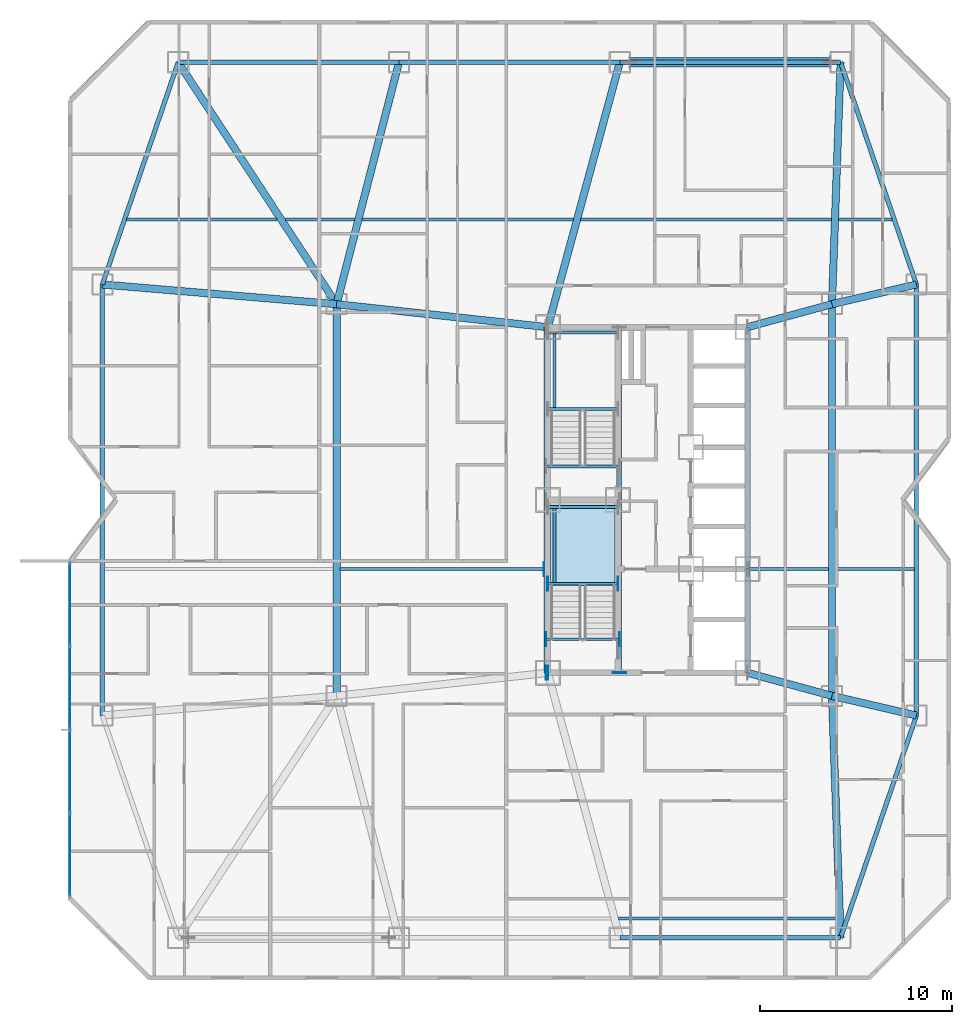
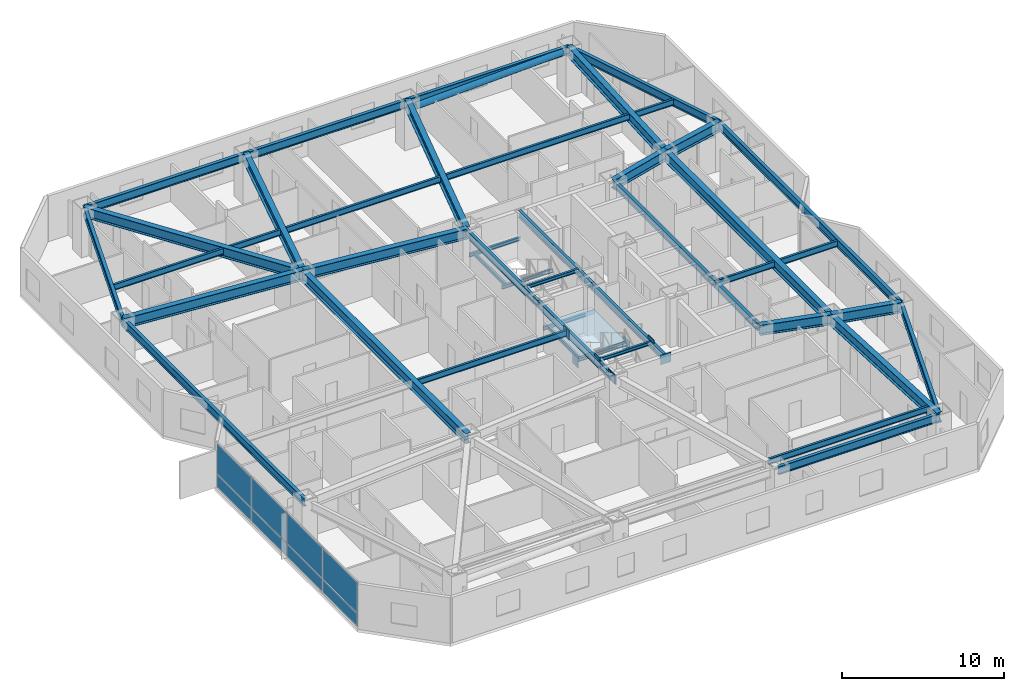
# One storey, part 7 of 19: 45 beams, 16 plates, 1 member, 1 slab, 2 elements without a shape of their own.
"""IFC4 building model written with IfcOpenShell, lengths in metres."""

from ifc_helpers import new_model, si_unit, direction, frame, origin, origin_2d, place, context, subcontext, project, spatial, polyline, rectangle, hollow_circle, i_section, outline, extrude, material, layer, layer_set, material_profile, profile_set, type_object, element, aggregate, save


model = new_model("IFC4")

# Units and contexts
model_context = context("Model", 3, precision=1e-05, world=origin(), true_north=direction((0.0, 1.0)))
body_context = subcontext(model_context, "Body", "Model", "MODEL_VIEW")
ifc_project = project(units=[si_unit("LENGTHUNIT", "METRE"), si_unit("AREAUNIT", "SQUARE_METRE"), si_unit("VOLUMEUNIT", "CUBIC_METRE"), si_unit("PLANEANGLEUNIT", "RADIAN"), si_unit("MASSUNIT", "GRAM", prefix="KILO")], contexts=[model_context])

# Site, building, storey
site_placement = place(None, origin())
site = spatial("IfcSite", under=ifc_project, at=site_placement, CompositionType="ELEMENT")
building_placement = place(site_placement, origin())
building = spatial("IfcBuilding", under=site, at=building_placement, Name="Khamvora Tower", CompositionType="ELEMENT")
storey_placement = place(building_placement, frame((0.0, 0.0, 58.85009765625)))
storey = spatial("IfcBuildingStorey", under=building, at=storey_placement, Name="L14", CompositionType="ELEMENT", Elevation=58.85009765625)

# Beams
ifc_material_1 = material(Name="Steel S355", Category="steel")
ifc_material_profile_1 = material_profile(ifc_material_1, i_section(OverallWidth=0.154052734375, OverallDepth=0.458984375, WebThickness=0.009033203125, FlangeThickness=0.014892578125, FilletRadius=0.011962890625, at=origin_2d()), Name="W460x68")
ifc_profile_set_1 = profile_set([ifc_material_profile_1], Name="Steel S355")
beam_type_1 = type_object("IfcBeamType", Name="BM-JS-W460x68", PredefinedType="JOIST", material=ifc_profile_set_1)
beam_1_placement = place(storey_placement, frame((32.6708984375, 6.199951171875, 3.199951171875), z_axis=(1.0, 0.0, 0.0), x_axis=(0.0, 1.0, 0.0)))
element("IfcBeam", 1, at=beam_1_placement, inside=storey, type_object=beam_type_1, Name="L14 secondary floor joist 03", PredefinedType="JOIST", context=body_context, shape_type="SweptSolid", body=[
    extrude(i_section(OverallWidth=0.154052734375, OverallDepth=0.458984375, WebThickness=0.009033203125, FlangeThickness=0.014892578125, FilletRadius=0.011962890625, at=origin_2d()), origin(), (0.0, 0.0, 1.0), 11.358154296875),
])
beam_2_placement = place(storey_placement, frame((18.18603515625, 24.39990234375, 3.199951171875), z_axis=(1.0, 0.0, 0.0), x_axis=(0.0, 1.0, 0.0)))
element("IfcBeam", 2, at=beam_2_placement, inside=storey, type_object=beam_type_1, Name="L14 secondary floor joist 05", PredefinedType="JOIST", context=body_context, shape_type="SweptSolid", body=[
    extrude(i_section(OverallWidth=0.154052734375, OverallDepth=0.458984375, WebThickness=0.009033203125, FlangeThickness=0.014892578125, FilletRadius=0.011962890625, at=origin_2d()), origin(), (0.0, 0.0, 1.0), 10.614013671875),
])
beam_3_placement = place(storey_placement, frame((39.4990234375, 24.39990234375, 3.199951171875), z_axis=(1.0, 0.0, 0.0), x_axis=(0.0, 1.0, 0.0)))
element("IfcBeam", 3, at=beam_3_placement, inside=storey, type_object=beam_type_1, Name="L14 secondary floor joist 06", PredefinedType="JOIST", context=body_context, shape_type="SweptSolid", body=[
    extrude(i_section(OverallWidth=0.154052734375, OverallDepth=0.458984375, WebThickness=0.009033203125, FlangeThickness=0.014892578125, FilletRadius=0.011962890625, at=origin_2d()), origin(), (0.0, 0.0, 1.0), 4.114990234375),
])
beam_4_placement = place(storey_placement, frame((43.985107421875, 24.39990234375, 3.199951171875), z_axis=(1.0, 0.0, 0.0), x_axis=(0.0, 1.0, 0.0)))
element("IfcBeam", 4, at=beam_4_placement, inside=storey, type_object=beam_type_1, Name="L14 secondary floor joist 07", PredefinedType="JOIST", context=body_context, shape_type="SweptSolid", body=[
    extrude(i_section(OverallWidth=0.154052734375, OverallDepth=0.458984375, WebThickness=0.009033203125, FlangeThickness=0.014892578125, FilletRadius=0.011962890625, at=origin_2d()), origin(), (0.0, 0.0, 1.0), 4.10498046875),
])
beam_5_placement = place(storey_placement, frame((7.068115234375, 42.60009765625, 3.199951171875), z_axis=(1.0, 0.0, 0.0), x_axis=(0.0, 1.0, 0.0)))
element("IfcBeam", 5, at=beam_5_placement, inside=storey, type_object=beam_type_1, Name="L14 secondary floor joist 08", PredefinedType="JOIST", context=body_context, shape_type="SweptSolid", body=[
    extrude(i_section(OverallWidth=0.154052734375, OverallDepth=0.458984375, WebThickness=0.009033203125, FlangeThickness=0.014892578125, FilletRadius=0.011962890625, at=origin_2d()), origin(), (0.0, 0.0, 1.0), 7.827880859375),
])
beam_6_placement = place(storey_placement, frame((15.342041015625, 42.60009765625, 3.199951171875), z_axis=(1.0, 0.0, 0.0), x_axis=(0.0, 1.0, 0.0)))
element("IfcBeam", 6, at=beam_6_placement, inside=storey, type_object=beam_type_1, Name="L14 secondary floor joist 09", PredefinedType="JOIST", context=body_context, shape_type="SweptSolid", body=[
    extrude(i_section(OverallWidth=0.154052734375, OverallDepth=0.458984375, WebThickness=0.009033203125, FlangeThickness=0.014892578125, FilletRadius=0.011962890625, at=origin_2d()), origin(), (0.0, 0.0, 1.0), 3.60107421875),
])
beam_7_placement = place(storey_placement, frame((19.326904296875, 42.60009765625, 3.199951171875), z_axis=(1.0, 0.0, 0.0), x_axis=(0.0, 1.0, 0.0)))
element("IfcBeam", 7, at=beam_7_placement, inside=storey, type_object=beam_type_1, Name="L14 secondary floor joist 10", PredefinedType="JOIST", context=body_context, shape_type="SweptSolid", body=[
    extrude(i_section(OverallWidth=0.154052734375, OverallDepth=0.458984375, WebThickness=0.009033203125, FlangeThickness=0.014892578125, FilletRadius=0.011962890625, at=origin_2d()), origin(), (0.0, 0.0, 1.0), 11.002197265625),
])
beam_8_placement = place(storey_placement, frame((30.714111328125, 42.60009765625, 3.199951171875), z_axis=(1.0, 0.0, 0.0), x_axis=(0.0, 1.0, 0.0)))
element("IfcBeam", 8, at=beam_8_placement, inside=storey, type_object=beam_type_1, Name="L14 secondary floor joist 11", PredefinedType="JOIST", context=body_context, shape_type="SweptSolid", body=[
    extrude(i_section(OverallWidth=0.154052734375, OverallDepth=0.458984375, WebThickness=0.009033203125, FlangeThickness=0.014892578125, FilletRadius=0.011962890625, at=origin_2d()), origin(), (0.0, 0.0, 1.0), 13.057861328125),
])
beam_9_placement = place(storey_placement, frame((44.14306640625, 42.60009765625, 3.199951171875), z_axis=(1.0, 0.0, 0.0), x_axis=(0.0, 1.0, 0.0)))
element("IfcBeam", 9, at=beam_9_placement, inside=storey, type_object=beam_type_1, Name="L14 secondary floor joist 12", PredefinedType="JOIST", context=body_context, shape_type="SweptSolid", body=[
    extrude(i_section(OverallWidth=0.154052734375, OverallDepth=0.458984375, WebThickness=0.009033203125, FlangeThickness=0.014892578125, FilletRadius=0.011962890625, at=origin_2d()), origin(), (0.0, 0.0, 1.0), 2.788818359375),
])
ifc_material_profile_2 = material_profile(ifc_material_1, i_section(OverallWidth=0.14697265625, OverallDepth=0.261962890625, WebThickness=0.007080078125, FlangeThickness=0.010986328125, FilletRadius=0.008056640625, at=origin_2d()), Name="W250x39")
ifc_profile_set_2 = profile_set([ifc_material_profile_2], Name="Steel S355")
beam_type_2 = type_object("IfcBeamType", Name="BM-LN-W250x39", PredefinedType="LINTEL", material=ifc_profile_set_2)
for number, where, z_axis, x_axis, name in (
    (10, (29.0, 23.635009765625, 1.493896484375), (1.0, 0.0, 0.0), (0.0, 1.0, 0.0), "L14 ST-01 half-landing support beam 1.1"),
    (11, (29.0, 27.6298828125, 1.493896484375), (1.0, 0.0, 0.0), (0.0, 1.0, 0.0), "L14 ST-01 half-landing support beam 1.2"),
):
    element("IfcBeam", number, at=place(storey_placement, frame(where, z_axis=z_axis, x_axis=x_axis)), inside=storey, type_object=beam_type_2, Name=name, PredefinedType="LINTEL", context=body_context, shape_type="SweptSolid", body=[
        extrude(i_section(OverallWidth=0.14697265625, OverallDepth=0.261962890625, WebThickness=0.007080078125, FlangeThickness=0.010986328125, FilletRadius=0.008056640625, at=origin_2d()), origin(), (0.0, 0.0, 1.0), 3.64990234375),
    ])
beam_10_placement = place(storey_placement, frame((29.35009765625, 23.635009765625, 1.493896484375), z_axis=(0.0, 1.0, 0.0), x_axis=(-1.0, 0.0, 0.0)))
element("IfcBeam", 12, at=beam_10_placement, inside=storey, type_object=beam_type_2, Name="L14 ST-01 half-landing edge stringer 1", PredefinedType="LINTEL", context=body_context, shape_type="SweptSolid", body=[
    extrude(i_section(OverallWidth=0.14697265625, OverallDepth=0.261962890625, WebThickness=0.007080078125, FlangeThickness=0.010986328125, FilletRadius=0.008056640625, at=origin_2d()), origin(), (0.0, 0.0, 1.0), 3.994873046875),
])
for number, where, z_axis, x_axis, name in (
    (13, (29.0, 32.735107421875, 1.493896484375), (1.0, 0.0, 0.0), (0.0, 1.0, 0.0), "L14 ST-02 half-landing support beam 1.1"),
    (14, (29.0, 36.72998046875, 1.493896484375), (1.0, 0.0, 0.0), (0.0, 1.0, 0.0), "L14 ST-02 half-landing support beam 1.2"),
):
    element("IfcBeam", number, at=place(storey_placement, frame(where, z_axis=z_axis, x_axis=x_axis)), inside=storey, type_object=beam_type_2, Name=name, PredefinedType="LINTEL", context=body_context, shape_type="SweptSolid", body=[
        extrude(i_section(OverallWidth=0.14697265625, OverallDepth=0.261962890625, WebThickness=0.007080078125, FlangeThickness=0.010986328125, FilletRadius=0.008056640625, at=origin_2d()), origin(), (0.0, 0.0, 1.0), 3.64990234375),
    ])
beam_11_placement = place(storey_placement, frame((29.35009765625, 32.735107421875, 1.493896484375), z_axis=(0.0, 1.0, 0.0), x_axis=(-1.0, 0.0, 0.0)))
element("IfcBeam", 15, at=beam_11_placement, inside=storey, type_object=beam_type_2, Name="L14 ST-02 half-landing edge stringer 1", PredefinedType="LINTEL", context=body_context, shape_type="SweptSolid", body=[
    extrude(i_section(OverallWidth=0.14697265625, OverallDepth=0.261962890625, WebThickness=0.007080078125, FlangeThickness=0.010986328125, FilletRadius=0.008056640625, at=origin_2d()), origin(), (0.0, 0.0, 1.0), 3.994873046875),
])
for number, where, z_axis, x_axis, name in (
    (16, (28.89990234375, 20.75, 3.303955078125), (1.0, 0.0, 0.0), (0.0, 1.0, 0.0), "L14 exit stair ST-01 landing trimmer beam"),
    (17, (28.89990234375, 29.75, 3.303955078125), (1.0, 0.0, 0.0), (0.0, 1.0, 0.0), "L14 exit stair ST-02 landing trimmer beam"),
):
    element("IfcBeam", number, at=place(storey_placement, frame(where, z_axis=z_axis, x_axis=x_axis)), inside=storey, type_object=beam_type_2, Name=name, PredefinedType="LINTEL", context=body_context, shape_type="SweptSolid", body=[
        extrude(i_section(OverallWidth=0.14697265625, OverallDepth=0.261962890625, WebThickness=0.007080078125, FlangeThickness=0.010986328125, FilletRadius=0.008056640625, at=origin_2d()), origin(), (0.0, 0.0, 1.0), 3.830078125),
    ])
ifc_material_profile_3 = material_profile(ifc_material_1, i_section(OverallWidth=0.381103515625, OverallDepth=0.77294921875, WebThickness=0.01708984375, FlangeThickness=0.027099609375, FilletRadius=0.01806640625, at=origin_2d()), Name="W760x257")
ifc_profile_set_3 = profile_set([ifc_material_profile_3], Name="Steel S355")
beam_type_3 = type_object("IfcBeamType", Name="BM-PG-W760x257", PredefinedType="BEAM", material=ifc_profile_set_3)
for number, where, z_axis, x_axis, name in (
    (18, (43.800048828125, 17.800048828125, 3.0439453125), (0.0, 1.0, 0.0), (-1.0, 0.0, 0.0), "L14 longitudinal frame girder M1-M2"),
    (19, (18.0, 17.800048828125, 3.0439453125), (0.0, 1.0, 0.0), (-1.0, 0.0, 0.0), "L14 longitudinal frame girder MW1-MW2"),
):
    element("IfcBeam", number, at=place(storey_placement, frame(where, z_axis=z_axis, x_axis=x_axis)), inside=storey, type_object=beam_type_3, Name=name, PredefinedType="BEAM", context=body_context, shape_type="SweptSolid", body=[
        extrude(i_section(OverallWidth=0.381103515625, OverallDepth=0.77294921875, WebThickness=0.01708984375, FlangeThickness=0.027099609375, FilletRadius=0.01806640625, at=origin_2d()), origin(), (0.0, 0.0, 1.0), 20.39990234375),
    ])
beam_12_placement = place(storey_placement, frame((43.800048828125, 17.800048828125, 3.0439453125), z_axis=(0.035687386423, -0.999363002342, 0.0), x_axis=(0.999363002342, 0.035687386423, 0.0)))
element("IfcBeam", 20, at=beam_12_placement, inside=storey, type_object=beam_type_3, Name="L14 primary floor girder S4", PredefinedType="BEAM", context=body_context, shape_type="SweptSolid", body=[
    extrude(i_section(OverallWidth=0.381103515625, OverallDepth=0.77294921875, WebThickness=0.01708984375, FlangeThickness=0.027099609375, FilletRadius=0.01806640625, at=origin_2d()), origin(), (0.0, 0.0, 1.0), 12.608154296875),
])
beam_13_placement = place(storey_placement, frame((18.0, 38.199951171875, 3.0439453125), z_axis=(-0.547782969742, 0.836620474325, 0.0), x_axis=(-0.836620474325, -0.547782969742, 0.0)))
element("IfcBeam", 21, at=beam_13_placement, inside=storey, type_object=beam_type_3, Name="L14 primary floor girder N1", PredefinedType="BEAM", context=body_context, shape_type="SweptSolid", body=[
    extrude(i_section(OverallWidth=0.381103515625, OverallDepth=0.77294921875, WebThickness=0.01708984375, FlangeThickness=0.027099609375, FilletRadius=0.01806640625, at=origin_2d()), origin(), (0.0, 0.0, 1.0), 15.060791015625),
])
beam_14_placement = place(storey_placement, frame((18.0, 38.199951171875, 3.0439453125), z_axis=(0.249759990341, 0.968307775051, 0.0), x_axis=(-0.968307775051, 0.249759990341, 0.0)))
element("IfcBeam", 22, at=beam_14_placement, inside=storey, type_object=beam_type_3, Name="L14 primary floor girder N2", PredefinedType="BEAM", context=body_context, shape_type="SweptSolid", body=[
    extrude(i_section(OverallWidth=0.381103515625, OverallDepth=0.77294921875, WebThickness=0.01708984375, FlangeThickness=0.027099609375, FilletRadius=0.01806640625, at=origin_2d()), origin(), (0.0, 0.0, 1.0), 13.012451171875),
])
beam_15_placement = place(storey_placement, frame((29.0, 37.0, 3.0439453125), z_axis=(0.262228883577, 0.965005706003, 0.0), x_axis=(-0.965005706003, 0.262228883577, 0.0)))
element("IfcBeam", 23, at=beam_15_placement, inside=storey, type_object=beam_type_3, Name="L14 primary floor girder N3", PredefinedType="BEAM", context=body_context, shape_type="SweptSolid", body=[
    extrude(i_section(OverallWidth=0.381103515625, OverallDepth=0.77294921875, WebThickness=0.01708984375, FlangeThickness=0.027099609375, FilletRadius=0.01806640625, at=origin_2d()), origin(), (0.0, 0.0, 1.0), 14.300537109375),
])
beam_16_placement = place(storey_placement, frame((43.800048828125, 38.199951171875, 3.0439453125), z_axis=(0.035687386423, 0.999363002342, 0.0), x_axis=(-0.999363002342, 0.035687386423, 0.0)))
element("IfcBeam", 24, at=beam_16_placement, inside=storey, type_object=beam_type_3, Name="L14 primary floor girder N4", PredefinedType="BEAM", context=body_context, shape_type="SweptSolid", body=[
    extrude(i_section(OverallWidth=0.381103515625, OverallDepth=0.77294921875, WebThickness=0.01708984375, FlangeThickness=0.027099609375, FilletRadius=0.01806640625, at=origin_2d()), origin(), (0.0, 0.0, 1.0), 12.608154296875),
])
beam_17_placement = place(storey_placement, frame((18.0, 38.199951171875, 3.0439453125), z_axis=(-0.996488172114, 0.083733642207, 0.0), x_axis=(-0.083733642207, -0.996488172114, 0.0)))
element("IfcBeam", 25, at=beam_17_placement, inside=storey, type_object=beam_type_3, Name="L14 primary floor girder W2", PredefinedType="BEAM", context=body_context, shape_type="SweptSolid", body=[
    extrude(i_section(OverallWidth=0.381103515625, OverallDepth=0.77294921875, WebThickness=0.01708984375, FlangeThickness=0.027099609375, FilletRadius=0.01806640625, at=origin_2d()), origin(), (0.0, 0.0, 1.0), 12.242919921875),
])
for number, where, z_axis, x_axis, name in (
    (26, (43.800048828125, 17.800048828125, 3.0439453125), (0.973914503503, -0.226915270237, 0.0), (0.226915270237, 0.973914503503, 0.0), "L14 primary floor girder E1"),
    (27, (43.800048828125, 38.199951171875, 3.0439453125), (0.973914503503, 0.226915270237, 0.0), (-0.226915270237, 0.973914503503, 0.0), "L14 primary floor girder E2"),
):
    element("IfcBeam", number, at=place(storey_placement, frame(where, z_axis=z_axis, x_axis=x_axis)), inside=storey, type_object=beam_type_3, Name=name, PredefinedType="BEAM", context=body_context, shape_type="SweptSolid", body=[
        extrude(i_section(OverallWidth=0.381103515625, OverallDepth=0.77294921875, WebThickness=0.01708984375, FlangeThickness=0.027099609375, FilletRadius=0.01806640625, at=origin_2d()), origin(), (0.0, 0.0, 1.0), 4.517822265625),
    ])
beam_18_placement = place(storey_placement, frame((29.0, 37.0, 3.0439453125), z_axis=(-0.994102652327, 0.108443149329, 0.0), x_axis=(-0.108443149329, -0.994102652327, 0.0)))
element("IfcBeam", 28, at=beam_18_placement, inside=storey, type_object=beam_type_3, Name="L14 primary floor girder MW2", PredefinedType="BEAM", context=body_context, shape_type="SweptSolid", body=[
    extrude(i_section(OverallWidth=0.381103515625, OverallDepth=0.77294921875, WebThickness=0.01708984375, FlangeThickness=0.027099609375, FilletRadius=0.01806640625, at=origin_2d()), origin(), (0.0, 0.0, 1.0), 11.065185546875),
])
for number, where, z_axis, x_axis, name in (
    (29, (39.39990234375, 19.0, 3.0439453125), (0.964768762286, -0.263099287945, 0.0), (0.263099287945, 0.964768762286, 0.0), "L14 primary floor girder M1"),
    (30, (39.39990234375, 37.0, 3.0439453125), (0.964768762286, 0.263099287945, 0.0), (-0.263099287945, 0.964768762286, 0.0), "L14 primary floor girder M2"),
):
    element("IfcBeam", number, at=place(storey_placement, frame(where, z_axis=z_axis, x_axis=x_axis)), inside=storey, type_object=beam_type_3, Name=name, PredefinedType="BEAM", context=body_context, shape_type="SweptSolid", body=[
        extrude(i_section(OverallWidth=0.381103515625, OverallDepth=0.77294921875, WebThickness=0.01708984375, FlangeThickness=0.027099609375, FilletRadius=0.01806640625, at=origin_2d()), origin(), (0.0, 0.0, 1.0), 4.560791015625),
    ])
ifc_material_profile_4 = material_profile(ifc_material_1, i_section(OverallWidth=0.208984375, OverallDepth=0.532958984375, WebThickness=0.010009765625, FlangeThickness=0.01611328125, FilletRadius=0.013916015625, at=origin_2d()), Name="W530x92")
ifc_profile_set_4 = profile_set([ifc_material_profile_4], Name="Steel S355")
beam_type_4 = type_object("IfcBeamType", Name="BM-SP-W530x92", PredefinedType="SPANDREL", material=ifc_profile_set_4)
for number, where, z_axis, x_axis, name in (
    (31, (28.89990234375, 19.0, 3.163818359375), (0.0, 1.0, 0.0), (-1.0, 0.0, 0.0), "L14 core spine girder WS"),
    (32, (28.89990234375, 28.0, 3.163818359375), (0.0, 1.0, 0.0), (-1.0, 0.0, 0.0), "L14 core spine girder WN"),
    (33, (32.72998046875, 19.0, 3.163818359375), (0.0, 1.0, 0.0), (-1.0, 0.0, 0.0), "L14 core spine girder M1S"),
    (34, (32.72998046875, 28.0, 3.163818359375), (0.0, 1.0, 0.0), (-1.0, 0.0, 0.0), "L14 core spine girder M1N"),
):
    element("IfcBeam", number, at=place(storey_placement, frame(where, z_axis=z_axis, x_axis=x_axis)), inside=storey, type_object=beam_type_4, Name=name, PredefinedType="SPANDREL", context=body_context, shape_type="SweptSolid", body=[
        extrude(i_section(OverallWidth=0.208984375, OverallDepth=0.532958984375, WebThickness=0.010009765625, FlangeThickness=0.01611328125, FilletRadius=0.013916015625, at=origin_2d()), origin(), (0.0, 0.0, 1.0), 9.0),
    ])
beam_19_placement = place(storey_placement, frame((39.39990234375, 19.0, 3.163818359375), z_axis=(0.0, 1.0, 0.0), x_axis=(-1.0, 0.0, 0.0)))
element("IfcBeam", 35, at=beam_19_placement, inside=storey, type_object=beam_type_4, Name="L14 core spine girder ES", PredefinedType="SPANDREL", context=body_context, shape_type="SweptSolid", body=[
    extrude(i_section(OverallWidth=0.208984375, OverallDepth=0.532958984375, WebThickness=0.010009765625, FlangeThickness=0.01611328125, FilletRadius=0.013916015625, at=origin_2d()), origin(), (0.0, 0.0, 1.0), 5.39990234375),
])
beam_20_placement = place(storey_placement, frame((39.39990234375, 24.39990234375, 3.163818359375), z_axis=(0.0, 1.0, 0.0), x_axis=(-1.0, 0.0, 0.0)))
element("IfcBeam", 36, at=beam_20_placement, inside=storey, type_object=beam_type_4, Name="L14 core spine girder EN", PredefinedType="SPANDREL", context=body_context, shape_type="SweptSolid", body=[
    extrude(i_section(OverallWidth=0.208984375, OverallDepth=0.532958984375, WebThickness=0.010009765625, FlangeThickness=0.01611328125, FilletRadius=0.013916015625, at=origin_2d()), origin(), (0.0, 0.0, 1.0), 12.60009765625),
])
ifc_material_profile_5 = material_profile(ifc_material_1, i_section(OverallWidth=0.22998046875, OverallDepth=0.616943359375, WebThickness=0.012939453125, FlangeThickness=0.02197265625, FilletRadius=0.013916015625, at=origin_2d()), Name="W610x140")
ifc_profile_set_5 = profile_set([ifc_material_profile_5], Name="Steel S355")
beam_type_5 = type_object("IfcBeamType", Name="BM-SP-W610x140", PredefinedType="SPANDREL", material=ifc_profile_set_5)
beam_21_placement = place(storey_placement, frame((32.75, 5.199951171875, 3.120849609375), z_axis=(1.0, 0.0, 0.0), x_axis=(0.0, 1.0, 0.0)))
element("IfcBeam", 37, at=beam_21_placement, inside=storey, type_object=beam_type_5, Name="L14 perimeter spandrel beam S3-S4", PredefinedType="SPANDREL", context=body_context, shape_type="SweptSolid", body=[
    extrude(i_section(OverallWidth=0.22998046875, OverallDepth=0.616943359375, WebThickness=0.012939453125, FlangeThickness=0.02197265625, FilletRadius=0.013916015625, at=origin_2d()), origin(), (0.0, 0.0, 1.0), 11.5),
])
beam_22_placement = place(storey_placement, frame((44.25, 5.199951171875, 3.120849609375), z_axis=(0.322962893199, 0.946411628002, 0.0), x_axis=(-0.946411628002, 0.322962893199, 0.0)))
element("IfcBeam", 38, at=beam_22_placement, inside=storey, type_object=beam_type_5, Name="L14 perimeter spandrel beam S4-E1", PredefinedType="SPANDREL", context=body_context, shape_type="SweptSolid", body=[
    extrude(i_section(OverallWidth=0.22998046875, OverallDepth=0.616943359375, WebThickness=0.012939453125, FlangeThickness=0.02197265625, FilletRadius=0.013916015625, at=origin_2d()), origin(), (0.0, 0.0, 1.0), 12.23046875),
])
beam_23_placement = place(storey_placement, frame((48.199951171875, 16.77490234375, 3.120849609375), z_axis=(0.0, 1.0, 0.0), x_axis=(-1.0, 0.0, 0.0)))
element("IfcBeam", 39, at=beam_23_placement, inside=storey, type_object=beam_type_5, Name="L14 perimeter spandrel beam E1-E2", PredefinedType="SPANDREL", context=body_context, shape_type="SweptSolid", body=[
    extrude(i_section(OverallWidth=0.22998046875, OverallDepth=0.616943359375, WebThickness=0.012939453125, FlangeThickness=0.02197265625, FilletRadius=0.013916015625, at=origin_2d()), origin(), (0.0, 0.0, 1.0), 22.4501953125),
])
beam_24_placement = place(storey_placement, frame((48.199951171875, 39.22509765625, 3.120849609375), z_axis=(-0.322962893199, 0.946411628002, 0.0), x_axis=(-0.946411628002, -0.322962893199, 0.0)))
element("IfcBeam", 40, at=beam_24_placement, inside=storey, type_object=beam_type_5, Name="L14 perimeter spandrel beam E2-N4", PredefinedType="SPANDREL", context=body_context, shape_type="SweptSolid", body=[
    extrude(i_section(OverallWidth=0.22998046875, OverallDepth=0.616943359375, WebThickness=0.012939453125, FlangeThickness=0.02197265625, FilletRadius=0.013916015625, at=origin_2d()), origin(), (0.0, 0.0, 1.0), 12.23046875),
])
for number, where, z_axis, x_axis, name in (
    (41, (44.25, 50.800048828125, 3.120849609375), (-1.0, 0.0, 0.0), (0.0, -1.0, 0.0), "L14 perimeter spandrel beam N4-N3"),
    (42, (32.75, 50.800048828125, 3.120849609375), (-1.0, 0.0, 0.0), (0.0, -1.0, 0.0), "L14 perimeter spandrel beam N3-N2"),
    (43, (21.25, 50.800048828125, 3.120849609375), (-1.0, 0.0, 0.0), (0.0, -1.0, 0.0), "L14 perimeter spandrel beam N2-N1"),
):
    element("IfcBeam", number, at=place(storey_placement, frame(where, z_axis=z_axis, x_axis=x_axis)), inside=storey, type_object=beam_type_5, Name=name, PredefinedType="SPANDREL", context=body_context, shape_type="SweptSolid", body=[
        extrude(i_section(OverallWidth=0.22998046875, OverallDepth=0.616943359375, WebThickness=0.012939453125, FlangeThickness=0.02197265625, FilletRadius=0.013916015625, at=origin_2d()), origin(), (0.0, 0.0, 1.0), 11.5),
    ])
beam_25_placement = place(storey_placement, frame((9.75, 50.800048828125, 3.120849609375), z_axis=(-0.322962893199, -0.946411628002, 0.0), x_axis=(0.946411628002, -0.322962893199, 0.0)))
element("IfcBeam", 44, at=beam_25_placement, inside=storey, type_object=beam_type_5, Name="L14 perimeter spandrel beam N1-W2", PredefinedType="SPANDREL", context=body_context, shape_type="SweptSolid", body=[
    extrude(i_section(OverallWidth=0.22998046875, OverallDepth=0.616943359375, WebThickness=0.012939453125, FlangeThickness=0.02197265625, FilletRadius=0.013916015625, at=origin_2d()), origin(), (0.0, 0.0, 1.0), 12.23046875),
])
beam_26_placement = place(storey_placement, frame((5.800048828125, 39.22509765625, 3.120849609375), z_axis=(0.0, -1.0, 0.0), x_axis=(1.0, 0.0, 0.0)))
element("IfcBeam", 45, at=beam_26_placement, inside=storey, type_object=beam_type_5, Name="L14 perimeter spandrel beam W2-W1", PredefinedType="SPANDREL", context=body_context, shape_type="SweptSolid", body=[
    extrude(i_section(OverallWidth=0.22998046875, OverallDepth=0.616943359375, WebThickness=0.012939453125, FlangeThickness=0.02197265625, FilletRadius=0.013916015625, at=origin_2d()), origin(), (0.0, 0.0, 1.0), 22.4501953125),
])

# Member
ifc_material_2 = material(Name="Steel S460", Category="steel")
ifc_material_profile_6 = material_profile(ifc_material_2, hollow_circle(Radius=0.25390625, WallThickness=0.02490234375, at=origin_2d()), Name="CHS508x25")
ifc_profile_set_6 = profile_set([ifc_material_profile_6], Name="Steel S460")
member_type = type_object("IfcMemberType", Name="MEM-BR-CHS508", PredefinedType="BRACE", material=ifc_profile_set_6)
member_placement = place(storey_placement, frame((33.280029296875, 50.800048828125, 2.699951171875), z_axis=(0.999263588849, 0.0, 0.038370301036), x_axis=(0.0, 1.0, 0.0)))
element("IfcMember", 46, at=member_placement, inside=storey, type_object=member_type, Name="L14 perimeter wind brace 2", PredefinedType="BRACE", context=body_context, shape_type="SweptSolid", body=[
    extrude(hollow_circle(Radius=0.25390625, WallThickness=0.02490234375, at=origin_2d()), origin(), (0.0, 0.0, 1.0), 10.44775390625),
])

# Curtain wall, plates
ifc_material_3 = material(Name="Anodised Aluminium 6063-T6", Category="aluminium")
curtain_wall_type = type_object("IfcCurtainWallType", Name="CW-SYS-02", PredefinedType="NOTDEFINED", material=ifc_material_3)
curtain_wall_placement = place(storey_placement, origin())
curtain_wall = element("IfcCurtainWall", 47, at=curtain_wall_placement, inside=storey, type_object=curtain_wall_type, Name="L14 stick curtain wall 02.1", PredefinedType="NOTDEFINED")
ifc_material_4 = material(Name="Low-E Laminated Double Glazing", Category="glass")
ifc_layer_1 = layer(ifc_material_4, 0.031982421875)
ifc_layer_set_1 = layer_set([ifc_layer_1], Name="Low-E Laminated Double Glazing")
plate_type_1 = type_object("IfcPlateType", Name="CW-SYS-02-PNL", PredefinedType="CURTAIN_PANEL", material=ifc_layer_set_1)
plate_1_placement = place(storey_placement, frame((4.110107421875, 9.51513671875, 0.06982421875), z_axis=(0.0, 0.0, 1.0), x_axis=(0.0, 1.0, 0.0)))
plate_1 = element("IfcPlate", 48, at=plate_1_placement, type_object=plate_type_1, Name="CW-02 panel 1.1", PredefinedType="CURTAIN_PANEL", context=body_context, shape_type="SweptSolid", body=[
    extrude(rectangle(XDim=4.256591796875, YDim=0.031982421875, at=origin_2d()), origin(), (0.0, 0.0, 1.0), 0.945068359375),
])
plate_2_placement = place(storey_placement, frame((4.110107421875, 9.51513671875, 1.0849609375), z_axis=(0.0, 0.0, 1.0), x_axis=(0.0, 1.0, 0.0)))
plate_2 = element("IfcPlate", 49, at=plate_2_placement, type_object=plate_type_1, Name="CW-02 panel 1.2", PredefinedType="CURTAIN_PANEL", context=body_context, shape_type="SweptSolid", body=[
    extrude(rectangle(XDim=4.256591796875, YDim=0.031982421875, at=origin_2d()), origin(), (0.0, 0.0, 1.0), 2.27490234375),
])
plate_3_placement = place(storey_placement, frame((4.110107421875, 13.859130859375, 0.06982421875), z_axis=(0.0, 0.0, 1.0), x_axis=(0.0, 1.0, 0.0)))
plate_3 = element("IfcPlate", 50, at=plate_3_placement, type_object=plate_type_1, Name="CW-02 panel 2.1", PredefinedType="CURTAIN_PANEL", context=body_context, shape_type="SweptSolid", body=[
    extrude(rectangle(XDim=4.29150390625, YDim=0.031982421875, at=origin_2d()), origin(), (0.0, 0.0, 1.0), 0.945068359375),
])
plate_4_placement = place(storey_placement, frame((4.110107421875, 13.859130859375, 1.0849609375), z_axis=(0.0, 0.0, 1.0), x_axis=(0.0, 1.0, 0.0)))
plate_4 = element("IfcPlate", 51, at=plate_4_placement, type_object=plate_type_1, Name="CW-02 panel 2.2", PredefinedType="CURTAIN_PANEL", context=body_context, shape_type="SweptSolid", body=[
    extrude(rectangle(XDim=4.29150390625, YDim=0.031982421875, at=origin_2d()), origin(), (0.0, 0.0, 1.0), 2.27490234375),
])
plate_5_placement = place(storey_placement, frame((4.110107421875, 18.220703125, 0.06982421875), z_axis=(0.0, 0.0, 1.0), x_axis=(0.0, 1.0, 0.0)))
plate_5 = element("IfcPlate", 52, at=plate_5_placement, type_object=plate_type_1, Name="CW-02 panel 3.1", PredefinedType="CURTAIN_PANEL", context=body_context, shape_type="SweptSolid", body=[
    extrude(rectangle(XDim=4.29150390625, YDim=0.031982421875, at=origin_2d()), origin(), (0.0, 0.0, 1.0), 0.945068359375),
])
plate_6_placement = place(storey_placement, frame((4.110107421875, 18.220703125, 1.0849609375), z_axis=(0.0, 0.0, 1.0), x_axis=(0.0, 1.0, 0.0)))
plate_6 = element("IfcPlate", 53, at=plate_6_placement, type_object=plate_type_1, Name="CW-02 panel 3.2", PredefinedType="CURTAIN_PANEL", context=body_context, shape_type="SweptSolid", body=[
    extrude(rectangle(XDim=4.29150390625, YDim=0.031982421875, at=origin_2d()), origin(), (0.0, 0.0, 1.0), 2.27490234375),
])
plate_7_placement = place(storey_placement, frame((4.110107421875, 22.564697265625, 0.06982421875), z_axis=(0.0, 0.0, 1.0), x_axis=(0.0, 1.0, 0.0)))
plate_7 = element("IfcPlate", 54, at=plate_7_placement, type_object=plate_type_1, Name="CW-02 panel 4.1", PredefinedType="CURTAIN_PANEL", context=body_context, shape_type="SweptSolid", body=[
    extrude(rectangle(XDim=4.256591796875, YDim=0.031982421875, at=origin_2d()), origin(), (0.0, 0.0, 1.0), 0.945068359375),
])
plate_8_placement = place(storey_placement, frame((4.110107421875, 22.564697265625, 1.0849609375), z_axis=(0.0, 0.0, 1.0), x_axis=(0.0, 1.0, 0.0)))
plate_8 = element("IfcPlate", 55, at=plate_8_placement, type_object=plate_type_1, Name="CW-02 panel 4.2", PredefinedType="CURTAIN_PANEL", context=body_context, shape_type="SweptSolid", body=[
    extrude(rectangle(XDim=4.256591796875, YDim=0.031982421875, at=origin_2d()), origin(), (0.0, 0.0, 1.0), 2.27490234375),
])
aggregate(curtain_wall, [plate_1, plate_2, plate_3, plate_4, plate_5, plate_6, plate_7, plate_8])

# Plates
ifc_layer_2 = layer(ifc_material_2, 0.034912109375)
ifc_layer_set_2 = layer_set([ifc_layer_2], Name="Steel S460")
plate_type_2 = type_object("IfcPlateType", Name="PL-EMB-35", PredefinedType="SHEET", material=ifc_layer_set_2)
for number, where, z_axis, x_axis, name in (
    (56, (29.0, 23.635009765625, 1.1337890625), (0.0, 0.0, 1.0), (1.0, 0.0, 0.0), "L14 core shear wall cast-in embed plate 0422"),
    (57, (32.64990234375, 23.635009765625, 1.1337890625), (0.0, 0.0, 1.0), (1.0, 0.0, 0.0), "L14 core shear wall cast-in embed plate 0423"),
    (58, (29.0, 19.0, 2.68408203125), (0.0, 0.0, 1.0), (1.0, 0.0, 0.0), "L14 core shear wall cast-in embed plate 0431"),
    (59, (28.89990234375, 19.0, 2.8037109375), (0.0, 0.0, 1.0), (1.0, 0.0, 0.0), "L14 core shear wall cast-in embed plate 0435"),
):
    element("IfcPlate", number, at=place(storey_placement, frame(where, z_axis=z_axis, x_axis=x_axis)), inside=storey, type_object=plate_type_2, Name=name, PredefinedType="SHEET", context=body_context, shape_type="SweptSolid", body=[
        extrude(rectangle(XDim=0.034912109375, YDim=0.719970703125, at=origin_2d()), origin(), (0.0, 0.0, 1.0), 0.719970703125),
    ])
plate_9_placement = place(storey_placement, frame((32.72998046875, 19.0, 2.8037109375), z_axis=(0.0, 0.0, 1.0), x_axis=(1.0, 0.0, 0.0)))
element("IfcPlate", 60, at=plate_9_placement, inside=storey, type_object=plate_type_2, Name="L14 core shear wall cast-in embed plate 0438", PredefinedType="SHEET", context=body_context, shape_type="SweptSolid", body=[
    extrude(rectangle(XDim=0.719970703125, YDim=0.034912109375, at=origin_2d()), origin(), (0.0, 0.0, 1.0), 0.719970703125),
])
for number, where, z_axis, x_axis, name in (
    (61, (28.89990234375, 20.75, 2.94384765625), (0.0, 0.0, 1.0), (1.0, 0.0, 0.0), "L14 core shear wall cast-in embed plate 0444"),
    (62, (32.72998046875, 20.75, 2.94384765625), (0.0, 0.0, 1.0), (1.0, 0.0, 0.0), "L14 core shear wall cast-in embed plate 0445"),
    (63, (28.800048828125, 24.39990234375, 2.83984375), (0.0, 0.0, 1.0), (1.0, 0.0, 0.0), "L14 core shear wall cast-in embed plate 0448"),
):
    element("IfcPlate", number, at=place(storey_placement, frame(where, z_axis=z_axis, x_axis=x_axis)), inside=storey, type_object=plate_type_2, Name=name, PredefinedType="SHEET", context=body_context, shape_type="SweptSolid", body=[
        extrude(rectangle(XDim=0.034912109375, YDim=0.719970703125, at=origin_2d()), origin(), (0.0, 0.0, 1.0), 0.719970703125),
    ])

# Stair, slab
ifc_material_5 = material(Name="Concrete C40/50", Category="concrete")
stair_type = type_object("IfcStairType", Name="STR-ST-01", PredefinedType="HALF_TURN_STAIR", material=ifc_material_5)
stair_placement = place(storey_placement, origin())
stair = element("IfcStair", 64, at=stair_placement, inside=storey, type_object=stair_type, Name="L14 South Tower Exit Stair ST-01", PredefinedType="HALF_TURN_STAIR")
ifc_layer_3 = layer(ifc_material_5, 0.199951171875)
ifc_layer_set_3 = layer_set([ifc_layer_3], Name="Concrete C40/50")
slab_type = type_object("IfcSlabType", Name="SLB-LND-200", PredefinedType="LANDING", material=ifc_layer_set_3)
slab_placement = place(storey_placement, frame((0.0, 0.0, 1.625)))
slab = element("IfcSlab", 65, at=slab_placement, type_object=slab_type, Name="ST-01 landing 1", PredefinedType="LANDING", context=body_context, shape_type="SweptSolid", body=[
    extrude(outline(polyline([(32.5, 23.514892578125), (32.5, 27.75), (29.14990234375, 27.75), (29.14990234375, 23.514892578125), (32.5, 23.514892578125)])), origin(), (0.0, 0.0, 1.0), 0.199951171875),
])
aggregate(stair, [slab])

save(model, "model.ifc")
